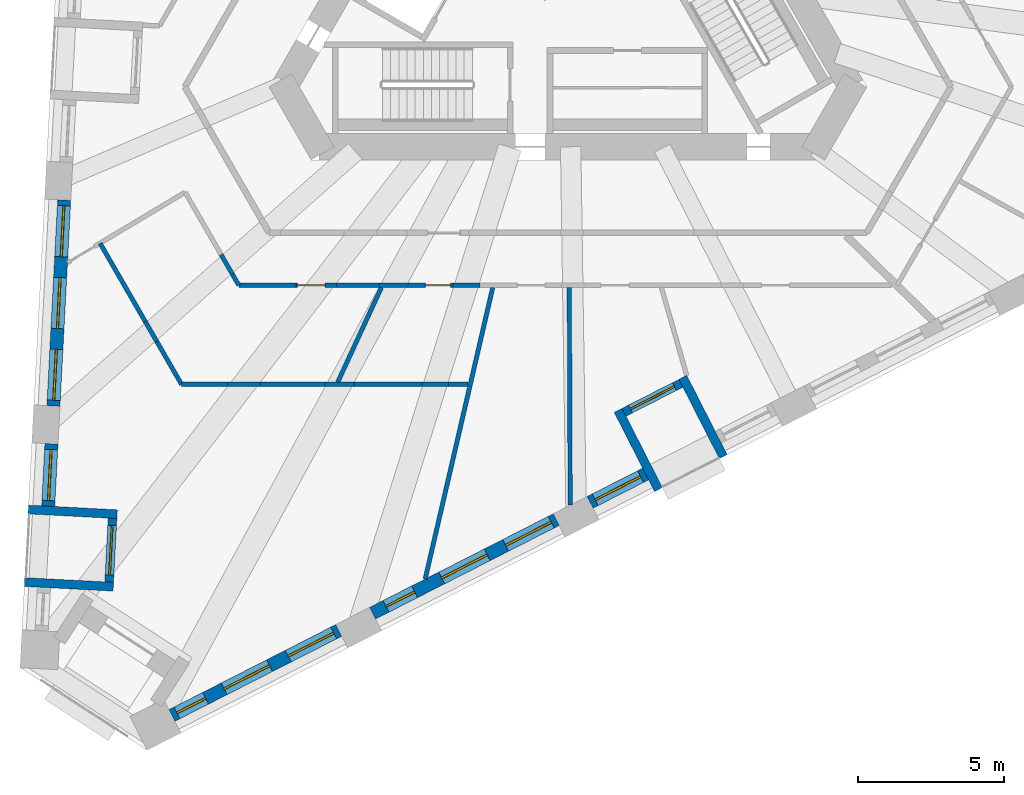
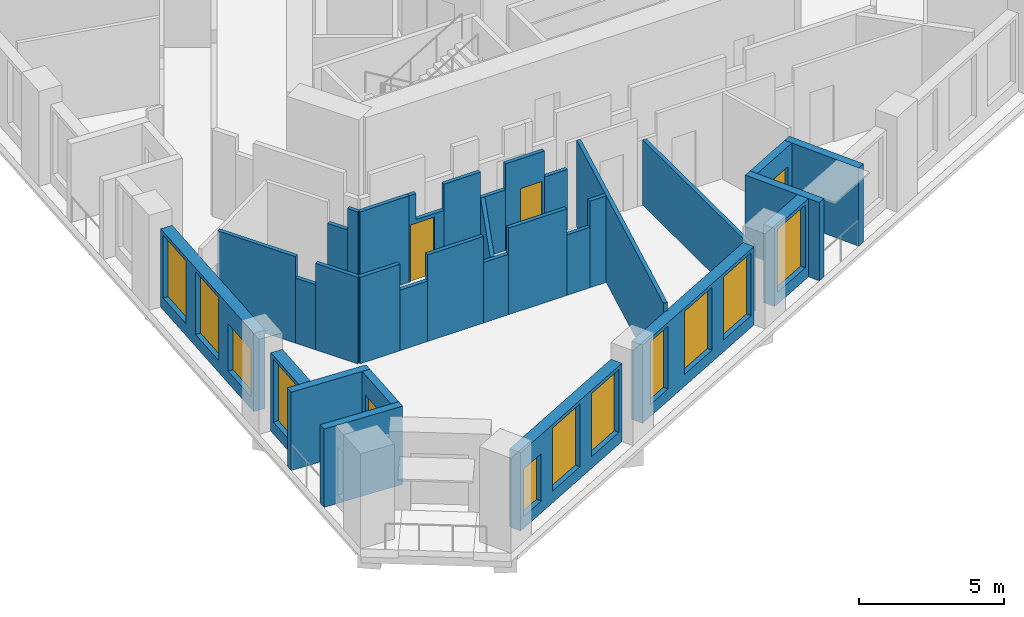
# One storey, part 2 of 13: 32 walls, 11 windows, 4 doors, 15 openings.
"""IFC4 building model written with IfcOpenShell, lengths in metres."""

from ifc_helpers import new_model, si_unit, direction, frame, frame_2d, origin, place, context, subcontext, project, spatial, polyline, rectangle, outline, extrude, material, layer, layer_set, type_object, element, fill, save


model = new_model("IFC4")

# Units and contexts
model_context = context("Model", 3, precision=1e-05, world=origin(), true_north=direction((0.0, 1.0)))
body_context = subcontext(model_context, "Body", "Model", "MODEL_VIEW")
ifc_project = project(units=[si_unit("LENGTHUNIT", "METRE"), si_unit("AREAUNIT", "SQUARE_METRE"), si_unit("VOLUMEUNIT", "CUBIC_METRE"), si_unit("PLANEANGLEUNIT", "RADIAN"), si_unit("MASSUNIT", "GRAM", prefix="KILO")], contexts=[model_context])

# Site, building, storey
site_placement = place(None, origin())
site = spatial("IfcSite", under=ifc_project, at=site_placement, CompositionType="ELEMENT")
building_placement = place(site_placement, origin())
building = spatial("IfcBuilding", under=site, at=building_placement, Name="Tramontana Tower", CompositionType="ELEMENT")
storey_placement = place(building_placement, frame((0.0, 0.0, 153.60009765625)))
storey = spatial("IfcBuildingStorey", under=building, at=storey_placement, Name="L35", CompositionType="ELEMENT", Elevation=153.60009765625)

# Wall, openings, windows
ifc_material_1 = material(Name="Precast concrete 60 MPa", Category="concrete")
ifc_layer_1 = layer(ifc_material_1, 0.449951171875)
ifc_layer_set_1 = layer_set([ifc_layer_1], Name="Precast concrete 60 MPa, 450 mm")
wall_type_1 = type_object("IfcWallType", Name="EW1 Stone-faced precast wall 450", PredefinedType="SOLIDWALL", material=ifc_layer_set_1)
wall_1_placement = place(storey_placement, frame((-17.274169921875, -8.128662109375, 0.0), z_axis=(0.0, 0.0, 1.0), x_axis=(-0.052339570873, -0.998629345313, 0.0)))
wall_1 = element("IfcWall", 1, at=wall_1_placement, inside=storey, type_object=wall_type_1, Name="External wall L35 face 0 bay 5", PredefinedType="SOLIDWALL", context=body_context, shape_type="SweptSolid", body=[
    extrude(rectangle(XDim=7.071533203125, YDim=0.449951171875, at=frame_2d((3.53564453125, 0.0))), origin(), (0.0, 0.0, 1.0), 3.2998046875),
])
opening_1_placement = place(wall_1_placement, frame((0.1953125, 0.0, 0.5)))
opening_1 = element("IfcOpeningElement", 2, at=opening_1_placement, cuts=wall_1, Name="Opening M2", PredefinedType="OPENING", context=body_context, shape_type="SweptSolid", body=[
    extrude(rectangle(XDim=1.75, YDim=2.64990234375, at=frame_2d((0.875, 1.324951171875))), frame((0.0, 0.23486328125, 0.0), z_axis=(0.0, -1.0, 0.0), x_axis=(1.0, 0.0, 0.0)), (0.0, 0.0, 1.0), 0.469970703125),
])
opening_2_placement = place(wall_1_placement, frame((2.660888671875, 0.0, 0.5)))
opening_2 = element("IfcOpeningElement", 3, at=opening_2_placement, cuts=wall_1, Name="Opening M2", PredefinedType="OPENING", context=body_context, shape_type="SweptSolid", body=[
    extrude(rectangle(XDim=1.75, YDim=2.64990234375, at=frame_2d((0.875, 1.324951171875))), frame((0.0, 0.23486328125, 0.0), z_axis=(0.0, -1.0, 0.0), x_axis=(1.0, 0.0, 0.0)), (0.0, 0.0, 1.0), 0.469970703125),
])
opening_3_placement = place(wall_1_placement, frame((5.126220703125, 0.0, 0.5)))
opening_3 = element("IfcOpeningElement", 4, at=opening_3_placement, cuts=wall_1, Name="Opening M2L", PredefinedType="OPENING", context=body_context, shape_type="SweptSolid", body=[
    extrude(rectangle(XDim=1.75, YDim=2.0, at=frame_2d((0.875, 1.0))), frame((0.0, 0.23486328125, 0.0), z_axis=(0.0, -1.0, 0.0), x_axis=(1.0, 0.0, 0.0)), (0.0, 0.0, 1.0), 0.469970703125),
])
ifc_material_2 = material(Name="Aluminum frame, double glazing unit", Category="aluminium")
window_type_1 = type_object("IfcWindowType", Name="M2 Window 1.75 x 2.65", PartitioningType="SINGLE_PANEL", PredefinedType="WINDOW", material=ifc_material_2)
window_1_placement = place(opening_1_placement, origin())
window_1 = element("IfcWindow", 5, at=window_1_placement, inside=storey, type_object=window_type_1, Name="Window M2 L35 face 0 module 13", OverallHeight=2.64990234375, OverallWidth=1.75, PartitioningType="SINGLE_PANEL", PredefinedType="WINDOW", context=body_context, shape_type="SweptSolid", body=[
    extrude(rectangle(XDim=1.75, YDim=2.64990234375, at=frame_2d((0.875, 1.324951171875))), frame((0.0, 0.030029296875, 0.0), z_axis=(0.0, -1.0, 0.0), x_axis=(1.0, 0.0, 0.0)), (0.0, 0.0, 1.0), 0.06005859375),
])
fill(opening_1, window_1)
window_2_placement = place(opening_2_placement, origin())
window_2 = element("IfcWindow", 6, at=window_2_placement, inside=storey, type_object=window_type_1, Name="Window M2 L35 face 0 module 14", OverallHeight=2.64990234375, OverallWidth=1.75, PartitioningType="SINGLE_PANEL", PredefinedType="WINDOW", context=body_context, shape_type="SweptSolid", body=[
    extrude(rectangle(XDim=1.75, YDim=2.64990234375, at=frame_2d((0.875, 1.324951171875))), frame((0.0, 0.030029296875, 0.0), z_axis=(0.0, -1.0, 0.0), x_axis=(1.0, 0.0, 0.0)), (0.0, 0.0, 1.0), 0.06005859375),
])
fill(opening_2, window_2)
ifc_material_3 = material(Name="Aluminum frame, double glazing unit", Category="aluminium")
window_type_2 = type_object("IfcWindowType", Name="M2L Window 1.75 x 2", PartitioningType="SINGLE_PANEL", PredefinedType="WINDOW", material=ifc_material_3)
window_3_placement = place(opening_3_placement, origin())
window_3 = element("IfcWindow", 7, at=window_3_placement, inside=storey, type_object=window_type_2, Name="Window M2L L35 face 0 module 15", OverallHeight=2.0, OverallWidth=1.75, PartitioningType="SINGLE_PANEL", PredefinedType="WINDOW", context=body_context, shape_type="SweptSolid", body=[
    extrude(rectangle(XDim=1.75, YDim=2.0, at=frame_2d((0.875, 1.0))), frame((0.0, 0.030029296875, 0.0), z_axis=(0.0, -1.0, 0.0), x_axis=(1.0, 0.0, 0.0)), (0.0, 0.0, 1.0), 0.06005859375),
])
fill(opening_3, window_3)

# Wall, opening, window
wall_2_placement = place(storey_placement, frame((-17.712158203125, -16.48876953125, 0.0), z_axis=(0.0, 0.0, 1.0), x_axis=(-0.05234931875, -0.998628834366, 0.0)))
wall_2 = element("IfcWall", 8, at=wall_2_placement, inside=storey, type_object=wall_type_1, Name="External wall L35 face 0 bay 6", PredefinedType="SOLIDWALL", context=body_context, shape_type="SweptSolid", body=[
    extrude(rectangle(XDim=2.140625, YDim=0.449951171875, at=frame_2d((1.0703125, 0.0))), origin(), (0.0, 0.0, 1.0), 3.2998046875),
])
opening_4_placement = place(wall_2_placement, frame((0.1953125, 0.0, 0.5)))
opening_4 = element("IfcOpeningElement", 9, at=opening_4_placement, cuts=wall_2, Name="Opening M2", PredefinedType="OPENING", context=body_context, shape_type="SweptSolid", body=[
    extrude(rectangle(XDim=1.75, YDim=2.64990234375, at=frame_2d((0.875, 1.324951171875))), frame((0.0, 0.23486328125, 0.0), z_axis=(0.0, -1.0, 0.0), x_axis=(1.0, 0.0, 0.0)), (0.0, 0.0, 1.0), 0.469970703125),
])
window_4_placement = place(opening_4_placement, origin())
window_4 = element("IfcWindow", 10, at=window_4_placement, inside=storey, type_object=window_type_1, Name="Window M2 L35 face 0 module 16", OverallHeight=2.64990234375, OverallWidth=1.75, PartitioningType="SINGLE_PANEL", PredefinedType="WINDOW", context=body_context, shape_type="SweptSolid", body=[
    extrude(rectangle(XDim=1.75, YDim=2.64990234375, at=frame_2d((0.875, 1.324951171875))), frame((0.0, 0.030029296875, 0.0), z_axis=(0.0, -1.0, 0.0), x_axis=(1.0, 0.0, 0.0)), (0.0, 0.0, 1.0), 0.06005859375),
])
fill(opening_4, window_4)

# Wall, openings, windows
wall_3_placement = place(storey_placement, frame((-13.580810546875, -25.802734375, 0.0), z_axis=(0.0, 0.0, 1.0), x_axis=(0.891010191031, 0.453983303085, 0.0)))
wall_3 = element("IfcWall", 11, at=wall_3_placement, inside=storey, type_object=wall_type_1, Name="External wall L35 face 1 bay 1", PredefinedType="SOLIDWALL", context=body_context, shape_type="SweptSolid", body=[
    extrude(rectangle(XDim=6.421630859375, YDim=0.449951171875, at=frame_2d((3.2109375, 0.0))), origin(), (0.0, 0.0, 1.0), 3.2998046875),
])
opening_5_placement = place(wall_3_placement, frame((0.1953125, 0.0, 0.5)))
opening_5 = element("IfcOpeningElement", 12, at=opening_5_placement, cuts=wall_3, Name="Opening N2L", PredefinedType="OPENING", context=body_context, shape_type="SweptSolid", body=[
    extrude(rectangle(XDim=1.10009765625, YDim=2.0, at=frame_2d((0.550048828125, 1.0))), frame((0.0, 0.23486328125, 0.0), z_axis=(0.0, -1.0, 0.0), x_axis=(1.0, 0.0, 0.0)), (0.0, 0.0, 1.0), 0.469970703125),
])
opening_6_placement = place(wall_3_placement, frame((2.0107421875, 0.0, 0.5)))
opening_6 = element("IfcOpeningElement", 13, at=opening_6_placement, cuts=wall_3, Name="Opening M2", PredefinedType="OPENING", context=body_context, shape_type="SweptSolid", body=[
    extrude(rectangle(XDim=1.75, YDim=2.64990234375, at=frame_2d((0.875, 1.324951171875))), frame((0.0, 0.23486328125, 0.0), z_axis=(0.0, -1.0, 0.0), x_axis=(1.0, 0.0, 0.0)), (0.0, 0.0, 1.0), 0.469970703125),
])
opening_7_placement = place(wall_3_placement, frame((4.476318359375, 0.0, 0.5)))
opening_7 = element("IfcOpeningElement", 14, at=opening_7_placement, cuts=wall_3, Name="Opening M2", PredefinedType="OPENING", context=body_context, shape_type="SweptSolid", body=[
    extrude(rectangle(XDim=1.75, YDim=2.64990234375, at=frame_2d((0.875, 1.324951171875))), frame((0.0, 0.23486328125, 0.0), z_axis=(0.0, -1.0, 0.0), x_axis=(1.0, 0.0, 0.0)), (0.0, 0.0, 1.0), 0.469970703125),
])
window_5_placement = place(opening_6_placement, origin())
window_5 = element("IfcWindow", 15, at=window_5_placement, inside=storey, type_object=window_type_1, Name="Window M2 L35 face 1 module 2", OverallHeight=2.64990234375, OverallWidth=1.75, PartitioningType="SINGLE_PANEL", PredefinedType="WINDOW", context=body_context, shape_type="SweptSolid", body=[
    extrude(rectangle(XDim=1.75, YDim=2.64990234375, at=frame_2d((0.875, 1.324951171875))), frame((0.0, 0.030029296875, 0.0), z_axis=(0.0, -1.0, 0.0), x_axis=(1.0, 0.0, 0.0)), (0.0, 0.0, 1.0), 0.06005859375),
])
fill(opening_6, window_5)
window_6_placement = place(opening_7_placement, origin())
window_6 = element("IfcWindow", 16, at=window_6_placement, inside=storey, type_object=window_type_1, Name="Window M2 L35 face 1 module 3", OverallHeight=2.64990234375, OverallWidth=1.75, PartitioningType="SINGLE_PANEL", PredefinedType="WINDOW", context=body_context, shape_type="SweptSolid", body=[
    extrude(rectangle(XDim=1.75, YDim=2.64990234375, at=frame_2d((0.875, 1.324951171875))), frame((0.0, 0.030029296875, 0.0), z_axis=(0.0, -1.0, 0.0), x_axis=(1.0, 0.0, 0.0)), (0.0, 0.0, 1.0), 0.06005859375),
])
fill(opening_7, window_6)
ifc_material_4 = material(Name="Aluminum frame, double glazing unit", Category="aluminium")
window_type_3 = type_object("IfcWindowType", Name="N2L Window 1.1 x 2", PartitioningType="SINGLE_PANEL", PredefinedType="WINDOW", material=ifc_material_4)
window_7_placement = place(opening_5_placement, origin())
window_7 = element("IfcWindow", 17, at=window_7_placement, inside=storey, type_object=window_type_3, Name="Window N2L L35 face 1 module 1", OverallHeight=2.0, OverallWidth=1.10009765625, PartitioningType="SINGLE_PANEL", PredefinedType="WINDOW", context=body_context, shape_type="SweptSolid", body=[
    extrude(rectangle(XDim=1.10009765625, YDim=2.0, at=frame_2d((0.550048828125, 1.0))), frame((0.0, 0.030029296875, 0.0), z_axis=(0.0, -1.0, 0.0), x_axis=(1.0, 0.0, 0.0)), (0.0, 0.0, 1.0), 0.06005859375),
])
fill(opening_5, window_7)

wall_4_placement = place(storey_placement, frame((-6.70068359375, -22.29736328125, 0.0), z_axis=(0.0, 0.0, 1.0), x_axis=(0.891004189171, 0.45399508244, 0.0)))
wall_4 = element("IfcWall", 18, at=wall_4_placement, inside=storey, type_object=wall_type_1, Name="External wall L35 face 1 bay 2", PredefinedType="SOLIDWALL", context=body_context, shape_type="SweptSolid", body=[
    extrude(rectangle(XDim=7.071533203125, YDim=0.449951171875, at=frame_2d((3.53564453125, 0.0))), origin(), (0.0, 0.0, 1.0), 3.2998046875),
])
opening_8_placement = place(wall_4_placement, frame((0.520263671875, 0.0, 0.5)))
opening_8 = element("IfcOpeningElement", 19, at=opening_8_placement, cuts=wall_4, Name="Opening N2", PredefinedType="OPENING", context=body_context, shape_type="SweptSolid", body=[
    extrude(rectangle(XDim=1.10009765625, YDim=2.64990234375, at=frame_2d((0.550048828125, 1.324951171875))), frame((0.0, 0.23486328125, 0.0), z_axis=(0.0, -1.0, 0.0), x_axis=(1.0, 0.0, 0.0)), (0.0, 0.0, 1.0), 0.469970703125),
])
opening_9_placement = place(wall_4_placement, frame((2.660888671875, 0.0, 0.5)))
opening_9 = element("IfcOpeningElement", 20, at=opening_9_placement, cuts=wall_4, Name="Opening M2", PredefinedType="OPENING", context=body_context, shape_type="SweptSolid", body=[
    extrude(rectangle(XDim=1.75, YDim=2.64990234375, at=frame_2d((0.875, 1.324951171875))), frame((0.0, 0.23486328125, 0.0), z_axis=(0.0, -1.0, 0.0), x_axis=(1.0, 0.0, 0.0)), (0.0, 0.0, 1.0), 0.469970703125),
])
opening_10_placement = place(wall_4_placement, frame((5.126220703125, 0.0, 0.5)))
opening_10 = element("IfcOpeningElement", 21, at=opening_10_placement, cuts=wall_4, Name="Opening M2", PredefinedType="OPENING", context=body_context, shape_type="SweptSolid", body=[
    extrude(rectangle(XDim=1.75, YDim=2.64990234375, at=frame_2d((0.875, 1.324951171875))), frame((0.0, 0.23486328125, 0.0), z_axis=(0.0, -1.0, 0.0), x_axis=(1.0, 0.0, 0.0)), (0.0, 0.0, 1.0), 0.469970703125),
])
window_8_placement = place(opening_9_placement, origin())
window_8 = element("IfcWindow", 22, at=window_8_placement, inside=storey, type_object=window_type_1, Name="Window M2 L35 face 1 module 5", OverallHeight=2.64990234375, OverallWidth=1.75, PartitioningType="SINGLE_PANEL", PredefinedType="WINDOW", context=body_context, shape_type="SweptSolid", body=[
    extrude(rectangle(XDim=1.75, YDim=2.64990234375, at=frame_2d((0.875, 1.324951171875))), frame((0.0, 0.030029296875, 0.0), z_axis=(0.0, -1.0, 0.0), x_axis=(1.0, 0.0, 0.0)), (0.0, 0.0, 1.0), 0.06005859375),
])
fill(opening_9, window_8)
window_9_placement = place(opening_10_placement, origin())
window_9 = element("IfcWindow", 23, at=window_9_placement, inside=storey, type_object=window_type_1, Name="Window M2 L35 face 1 module 6", OverallHeight=2.64990234375, OverallWidth=1.75, PartitioningType="SINGLE_PANEL", PredefinedType="WINDOW", context=body_context, shape_type="SweptSolid", body=[
    extrude(rectangle(XDim=1.75, YDim=2.64990234375, at=frame_2d((0.875, 1.324951171875))), frame((0.0, 0.030029296875, 0.0), z_axis=(0.0, -1.0, 0.0), x_axis=(1.0, 0.0, 0.0)), (0.0, 0.0, 1.0), 0.06005859375),
])
fill(opening_10, window_9)
ifc_material_5 = material(Name="Aluminum frame, double glazing unit", Category="aluminium")
window_type_4 = type_object("IfcWindowType", Name="N2 Window 1.1 x 2.65", PartitioningType="SINGLE_PANEL", PredefinedType="WINDOW", material=ifc_material_5)
window_10_placement = place(opening_8_placement, origin())
window_10 = element("IfcWindow", 24, at=window_10_placement, inside=storey, type_object=window_type_4, Name="Window N2 L35 face 1 module 4", OverallHeight=2.64990234375, OverallWidth=1.10009765625, PartitioningType="SINGLE_PANEL", PredefinedType="WINDOW", context=body_context, shape_type="SweptSolid", body=[
    extrude(rectangle(XDim=1.10009765625, YDim=2.64990234375, at=frame_2d((0.550048828125, 1.324951171875))), frame((0.0, 0.030029296875, 0.0), z_axis=(0.0, -1.0, 0.0), x_axis=(1.0, 0.0, 0.0)), (0.0, 0.0, 1.0), 0.06005859375),
])
fill(opening_8, window_10)

# Wall, opening, window
wall_5_placement = place(storey_placement, frame((0.75830078125, -18.496826171875, 0.0), z_axis=(0.0, 0.0, 1.0), x_axis=(0.890979432498, 0.454043666254, 0.0)))
wall_5 = element("IfcWall", 25, at=wall_5_placement, inside=storey, type_object=wall_type_1, Name="External wall L35 face 1 bay 3", PredefinedType="SOLIDWALL", context=body_context, shape_type="SweptSolid", body=[
    extrude(rectangle(XDim=2.140625, YDim=0.449951171875, at=frame_2d((1.0703125, 0.0))), origin(), (0.0, 0.0, 1.0), 3.2998046875),
])
opening_11_placement = place(wall_5_placement, frame((0.1953125, 0.0, 0.5)))
opening_11 = element("IfcOpeningElement", 26, at=opening_11_placement, cuts=wall_5, Name="Opening M2", PredefinedType="OPENING", context=body_context, shape_type="SweptSolid", body=[
    extrude(rectangle(XDim=1.75, YDim=2.64990234375, at=frame_2d((0.875, 1.324951171875))), frame((0.0, 0.23486328125, 0.0), z_axis=(0.0, -1.0, 0.0), x_axis=(1.0, 0.0, 0.0)), (0.0, 0.0, 1.0), 0.469970703125),
])
window_11_placement = place(opening_11_placement, origin())
window_11 = element("IfcWindow", 27, at=window_11_placement, inside=storey, type_object=window_type_1, Name="Window M2 L35 face 1 module 7", OverallHeight=2.64990234375, OverallWidth=1.75, PartitioningType="SINGLE_PANEL", PredefinedType="WINDOW", context=body_context, shape_type="SweptSolid", body=[
    extrude(rectangle(XDim=1.75, YDim=2.64990234375, at=frame_2d((0.875, 1.324951171875))), frame((0.0, 0.030029296875, 0.0), z_axis=(0.0, -1.0, 0.0), x_axis=(1.0, 0.0, 0.0)), (0.0, 0.0, 1.0), 0.06005859375),
])
fill(opening_11, window_11)

# Wall, opening, door
ifc_material_6 = material(Name="Precast concrete 60 MPa", Category="concrete")
ifc_layer_2 = layer(ifc_material_6, 0.300048828125)
ifc_layer_set_2 = layer_set([ifc_layer_2], Name="LW1 Stone-faced loggia wall 300")
wall_type_2 = type_object("IfcWallType", Name="LW1 Stone-faced loggia wall 300", PredefinedType="SOLIDWALL", material=ifc_layer_set_2)
wall_6_placement = place(storey_placement, frame((-15.617919921875, -19.04248046875, 0.0), z_axis=(0.0, 0.0, 1.0), x_axis=(-0.052383338583, -0.998627050424, 0.0)))
wall_6 = element("IfcWall", 28, at=wall_6_placement, inside=storey, type_object=wall_type_2, Name="Loggia wall L35 G3S0.16", PredefinedType="SOLIDWALL", context=body_context, shape_type="SweptSolid", body=[
    extrude(rectangle(XDim=2.1904296875, YDim=0.300048828125, at=frame_2d((1.09521484375, 0.0))), origin(), (0.0, 0.0, 1.0), 3.2998046875),
])
opening_12_placement = place(wall_6_placement, frame((0.245361328125, 0.0, 0.0)))
opening_12 = element("IfcOpeningElement", 29, at=opening_12_placement, cuts=wall_6, Name="Opening BD-3S0-16", PredefinedType="OPENING", context=body_context, shape_type="SweptSolid", body=[
    extrude(rectangle(XDim=1.699951171875, YDim=2.449951171875, at=frame_2d((0.85009765625, 1.22509765625))), frame((0.0, 0.159912109375, 0.0), z_axis=(0.0, -1.0, 0.0), x_axis=(1.0, 0.0, 0.0)), (0.0, 0.0, 1.0), 0.320068359375),
])
ifc_material_7 = material(Name="Aluminum frame, double glazing unit", Category="aluminium")
door_type_1 = type_object("IfcDoorType", Name="BD2 Sliding door 1.7 x 2.45", OperationType="SLIDING_TO_LEFT", PredefinedType="DOOR", material=ifc_material_7)
door_1_placement = place(opening_12_placement, origin())
door_1 = element("IfcDoor", 30, at=door_1_placement, inside=storey, type_object=door_type_1, Name="Loggia door L35 G3S0.16", OperationType="SLIDING_TO_LEFT", OverallHeight=2.449951171875, OverallWidth=1.699951171875, PredefinedType="DOOR", context=body_context, shape_type="SweptSolid", body=[
    extrude(rectangle(XDim=1.699951171875, YDim=2.449951171875, at=frame_2d((0.85009765625, 1.22509765625))), frame((0.0, 0.02490234375, 0.0), z_axis=(0.0, -1.0, 0.0), x_axis=(1.0, 0.0, 0.0)), (0.0, 0.0, 1.0), 0.050048828125),
])
fill(opening_12, door_1)

# Walls
for number, where, z_axis, x_axis, name in (
    (31, (-18.506103515625, -18.74072265625, 0.0), (0.0, 0.0, 1.0), (0.998628643661, -0.052352956549, 0.0), "Loggia return L35 G3S0.16a"),
    (32, (-18.636474609375, -21.22802734375, 0.0), (0.0, 0.0, 1.0), (0.998632825615, -0.05227312506, 0.0), "Loggia return L35 G3S0.16b"),
):
    element("IfcWall", number, at=place(storey_placement, frame(where, z_axis=z_axis, x_axis=x_axis)), inside=storey, type_object=wall_type_2, Name=name, PredefinedType="SOLIDWALL", context=body_context, shape_type="SweptSolid", body=[
        extrude(rectangle(XDim=3.0498046875, YDim=0.300048828125, at=frame_2d((1.52490234375, 0.0))), origin(), (0.0, 0.0, 1.0), 3.2998046875),
    ])

# Wall, opening, door
wall_7_placement = place(storey_placement, frame((1.9228515625, -15.40625, 0.0), z_axis=(0.0, 0.0, 1.0), x_axis=(0.891013126725, 0.4539775413, 0.0)))
wall_7 = element("IfcWall", 33, at=wall_7_placement, inside=storey, type_object=wall_type_2, Name="Loggia wall L35 G3S1.7", PredefinedType="SOLIDWALL", context=body_context, shape_type="SweptSolid", body=[
    extrude(rectangle(XDim=2.1904296875, YDim=0.300048828125, at=frame_2d((1.09521484375, 0.0))), origin(), (0.0, 0.0, 1.0), 3.2998046875),
])
opening_13_placement = place(wall_7_placement, frame((0.245361328125, 0.0, 0.0)))
opening_13 = element("IfcOpeningElement", 34, at=opening_13_placement, cuts=wall_7, Name="Opening BD-3S1-07", PredefinedType="OPENING", context=body_context, shape_type="SweptSolid", body=[
    extrude(rectangle(XDim=1.699951171875, YDim=2.449951171875, at=frame_2d((0.85009765625, 1.22509765625))), frame((0.0, 0.159912109375, 0.0), z_axis=(0.0, -1.0, 0.0), x_axis=(1.0, 0.0, 0.0)), (0.0, 0.0, 1.0), 0.320068359375),
])
door_2_placement = place(opening_13_placement, origin())
door_2 = element("IfcDoor", 35, at=door_2_placement, inside=storey, type_object=door_type_1, Name="Loggia door L35 G3S1.7", OperationType="SLIDING_TO_LEFT", OverallHeight=2.449951171875, OverallWidth=1.699951171875, PredefinedType="DOOR", context=body_context, shape_type="SweptSolid", body=[
    extrude(rectangle(XDim=1.699951171875, YDim=2.449951171875, at=frame_2d((0.85009765625, 1.22509765625))), frame((0.0, 0.02490234375, 0.0), z_axis=(0.0, -1.0, 0.0), x_axis=(1.0, 0.0, 0.0)), (0.0, 0.0, 1.0), 0.050048828125),
])
fill(opening_13, door_2)

# Walls
wall_8_placement = place(storey_placement, frame((3.105712890625, -18.058349609375, 0.0), z_axis=(0.0, 0.0, 1.0), x_axis=(-0.453988129332, 0.891007731968, 0.0)))
element("IfcWall", 36, at=wall_8_placement, inside=storey, type_object=wall_type_2, Name="Loggia return L35 G3S1.7a", PredefinedType="SOLIDWALL", context=body_context, shape_type="SweptSolid", body=[
    extrude(rectangle(XDim=3.05029296875, YDim=0.300048828125, at=frame_2d((1.525146484375, 0.0))), origin(), (0.0, 0.0, 1.0), 3.2998046875),
])
wall_9_placement = place(storey_placement, frame((5.32470703125, -16.927490234375, 0.0), z_axis=(0.0, 0.0, 1.0), x_axis=(-0.453956959009, 0.891023613249, 0.0)))
element("IfcWall", 37, at=wall_9_placement, inside=storey, type_object=wall_type_2, Name="Loggia return L35 G3S1.7b", PredefinedType="SOLIDWALL", context=body_context, shape_type="SweptSolid", body=[
    extrude(rectangle(XDim=3.0498046875, YDim=0.300048828125, at=frame_2d((1.52490234375, 0.0))), origin(), (0.0, 0.0, 1.0), 3.2998046875),
])
ifc_material_8 = material(Name="Gypsum board partition")
ifc_layer_3 = layer(ifc_material_8, 0.14990234375)
ifc_layer_set_3 = layer_set([ifc_layer_3], Name="PARTITION 150")
wall_type_3 = type_object("IfcWallType", Name="PARTITION 150", PredefinedType="PARTITIONING", material=ifc_layer_set_3)
wall_10_placement = place(storey_placement, frame((-13.250244140625, -14.449951171875, 0.0), z_axis=(0.0, 0.0, 1.0), x_axis=(-0.500025713471, 0.866010557596, 0.0)))
element("IfcWall", 38, at=wall_10_placement, inside=storey, type_object=wall_type_3, Name="Wall v32-pw03-0", PredefinedType="PARTITIONING", context=body_context, shape_type="SweptSolid", body=[
    extrude(rectangle(XDim=1.69580078125, YDim=0.14990234375, at=frame_2d((0.847900390625, 0.0))), origin(), (0.0, 0.0, 1.0), 3.64990234375),
])
wall_11_placement = place(storey_placement, frame((-14.09814453125, -12.9814453125, 0.0), z_axis=(0.0, 0.0, 1.0), x_axis=(-0.499989616998, 0.866031398331, 0.0)))
element("IfcWall", 39, at=wall_11_placement, inside=storey, type_object=wall_type_3, Name="Wall v32-pw03-1", PredefinedType="PARTITIONING", context=body_context, shape_type="SweptSolid", body=[
    extrude(rectangle(XDim=0.791015625, YDim=0.14990234375, at=frame_2d((0.3955078125, 0.0))), origin(), (0.0, 0.0, 1.0), 2.75),
])
wall_12_placement = place(storey_placement, frame((-14.49365234375, -12.29638671875, 0.0), z_axis=(0.0, 0.0, 1.0), x_axis=(-0.499981288196, 0.86603620678, 0.0)))
element("IfcWall", 40, at=wall_12_placement, inside=storey, type_object=wall_type_3, Name="Wall v32-pw03-2", PredefinedType="PARTITIONING", context=body_context, shape_type="SweptSolid", body=[
    extrude(rectangle(XDim=3.1025390625, YDim=0.14990234375, at=frame_2d((1.55126953125, 0.0))), origin(), (0.0, 0.0, 1.0), 3.64990234375),
])
wall_13_placement = place(storey_placement, frame((-11.287353515625, -11.0498046875, 0.0), z_axis=(0.0, 0.0, 1.0), x_axis=(-0.499739105689, 0.866175978797, 0.0)))
element("IfcWall", 41, at=wall_13_placement, inside=storey, type_object=wall_type_3, Name="Wall v32-pw05-0", PredefinedType="PARTITIONING", context=body_context, shape_type="SweptSolid", body=[
    extrude(rectangle(XDim=0.423095703125, YDim=0.14990234375, at=frame_2d((0.21142578125, 0.0))), origin(), (0.0, 0.0, 1.0), 3.64990234375),
])
wall_14_placement = place(storey_placement, frame((-11.498779296875, -10.683349609375, 0.0), z_axis=(0.0, 0.0, 1.0), x_axis=(-0.50012328804, 0.865954211699, 0.0)))
element("IfcWall", 42, at=wall_14_placement, inside=storey, type_object=wall_type_3, Name="Wall v32-pw05-1", PredefinedType="PARTITIONING", context=body_context, shape_type="SweptSolid", body=[
    extrude(rectangle(XDim=0.790771484375, YDim=0.14990234375, at=frame_2d((0.3955078125, 0.0))), origin(), (0.0, 0.0, 1.0), 2.75),
])
wall_15_placement = place(storey_placement, frame((-6.396484375, -11.125, 0.0), z_axis=(0.0, 0.0, 1.0), x_axis=(-0.4187207201, -0.908115057996, 0.0)))
element("IfcWall", 43, at=wall_15_placement, inside=storey, type_object=wall_type_3, Name="Wall v32-pw12-0", PredefinedType="PARTITIONING", context=body_context, shape_type="SweptSolid", body=[
    extrude(rectangle(XDim=3.578857421875, YDim=0.14990234375, at=frame_2d((1.78955078125, 0.0))), origin(), (0.0, 0.0, 1.0), 2.5498046875),
])
wall_16_placement = place(storey_placement, frame((-3.42578125, -14.449951171875, 0.0), z_axis=(0.0, 0.0, 1.0), x_axis=(-1.0, 0.0, 0.0)))
element("IfcWall", 44, at=wall_16_placement, inside=storey, type_object=wall_type_3, Name="Wall v32-pw15-0", PredefinedType="PARTITIONING", context=body_context, shape_type="SweptSolid", body=[
    extrude(rectangle(XDim=0.666015625, YDim=0.14990234375, at=frame_2d((0.3330078125, 0.0))), origin(), (0.0, 0.0, 1.0), 3.64990234375),
])
wall_17_placement = place(storey_placement, frame((-4.091796875, -14.449951171875, 0.0), z_axis=(0.0, 0.0, 1.0), x_axis=(-1.0, 0.0, 0.0)))
element("IfcWall", 45, at=wall_17_placement, inside=storey, type_object=wall_type_3, Name="Wall v32-pw15-1", PredefinedType="PARTITIONING", context=body_context, shape_type="SweptSolid", body=[
    extrude(rectangle(XDim=0.917236328125, YDim=0.14990234375, at=frame_2d((0.45849609375, 0.0))), origin(), (0.0, 0.0, 1.0), 2.5498046875),
])
wall_18_placement = place(storey_placement, frame((-5.009033203125, -14.449951171875, 0.0), z_axis=(0.0, 0.0, 1.0), x_axis=(-1.0, 0.0, 0.0)))
element("IfcWall", 46, at=wall_18_placement, inside=storey, type_object=wall_type_3, Name="Wall v32-pw15-2", PredefinedType="PARTITIONING", context=body_context, shape_type="SweptSolid", body=[
    extrude(rectangle(XDim=2.320556640625, YDim=0.14990234375, at=frame_2d((1.16015625, 0.0))), origin(), (0.0, 0.0, 1.0), 3.64990234375),
])
wall_19_placement = place(storey_placement, frame((-7.32958984375, -14.449951171875, 0.0), z_axis=(0.0, 0.0, 1.0), x_axis=(-1.0, 0.0, 0.0)))
element("IfcWall", 47, at=wall_19_placement, inside=storey, type_object=wall_type_3, Name="Wall v32-pw15-3", PredefinedType="PARTITIONING", context=body_context, shape_type="SweptSolid", body=[
    extrude(rectangle(XDim=0.9951171875, YDim=0.14990234375, at=frame_2d((0.49755859375, 0.0))), origin(), (0.0, 0.0, 1.0), 2.5498046875),
])
wall_20_placement = place(storey_placement, frame((-8.32470703125, -14.449951171875, 0.0), z_axis=(0.0, 0.0, 1.0), x_axis=(-1.0, 0.0, 0.0)))
element("IfcWall", 48, at=wall_20_placement, inside=storey, type_object=wall_type_3, Name="Wall v32-pw15-4", PredefinedType="PARTITIONING", context=body_context, shape_type="SweptSolid", body=[
    extrude(rectangle(XDim=2.234130859375, YDim=0.14990234375, at=frame_2d((1.1171875, 0.0))), origin(), (0.0, 0.0, 1.0), 3.64990234375),
])
wall_21_placement = place(storey_placement, frame((-10.558837890625, -14.449951171875, 0.0), z_axis=(0.0, 0.0, 1.0), x_axis=(-1.0, 0.0, 0.0)))
element("IfcWall", 49, at=wall_21_placement, inside=storey, type_object=wall_type_3, Name="Wall v32-pw15-5", PredefinedType="PARTITIONING", context=body_context, shape_type="SweptSolid", body=[
    extrude(rectangle(XDim=1.103759765625, YDim=0.14990234375, at=frame_2d((0.5517578125, 0.0))), origin(), (0.0, 0.0, 1.0), 2.5498046875),
])
wall_22_placement = place(storey_placement, frame((-11.66259765625, -14.449951171875, 0.0), z_axis=(0.0, 0.0, 1.0), x_axis=(-1.0, 0.0, 0.0)))
element("IfcWall", 50, at=wall_22_placement, inside=storey, type_object=wall_type_3, Name="Wall v32-pw15-6", PredefinedType="PARTITIONING", context=body_context, shape_type="SweptSolid", body=[
    extrude(rectangle(XDim=1.587646484375, YDim=0.14990234375, at=frame_2d((0.7939453125, 0.0))), origin(), (0.0, 0.0, 1.0), 3.64990234375),
])
wall_23_placement = place(storey_placement, frame((-2.578125, -11.125, 0.0), z_axis=(0.0, 0.0, 1.0), x_axis=(-0.225778284411, -0.974178713732, 0.0)))
element("IfcWall", 51, at=wall_23_placement, inside=storey, type_object=wall_type_3, Name="Wall v32-pw16", PredefinedType="PARTITIONING", context=body_context, shape_type="SweptSolid", body=[
    extrude(rectangle(XDim=10.26513671875, YDim=0.14990234375, at=frame_2d((5.132568359375, 0.0))), origin(), (0.0, 0.0, 1.0), 3.64990234375),
])
wall_24_placement = place(storey_placement, frame((0.046142578125, -11.125, 0.0), z_axis=(0.0, 0.0, 1.0), x_axis=(0.004152733795, -0.999991377364, 0.0)))
element("IfcWall", 52, at=wall_24_placement, inside=storey, type_object=wall_type_3, Name="Wall v32-pw18-0", PredefinedType="PARTITIONING", context=body_context, shape_type="SweptSolid", body=[
    extrude(rectangle(XDim=7.46630859375, YDim=0.14990234375, at=frame_2d((3.733154296875, 0.0))), origin(), (0.0, 0.0, 1.0), 2.75),
])
wall_25_placement = place(storey_placement, frame((-3.02099609375, -11.050048828125, 0.0), z_axis=(0.0, 0.0, 1.0), x_axis=(-1.0, 0.0, 0.0)))
element("IfcWall", 53, at=wall_25_placement, inside=storey, type_object=wall_type_3, Name="Wall v32-pw25-5", PredefinedType="PARTITIONING", context=body_context, shape_type="SweptSolid", body=[
    extrude(rectangle(XDim=0.91748046875, YDim=0.14990234375, at=frame_2d((0.458740234375, 0.0))), origin(), (0.0, 0.0, 1.0), 2.5498046875),
])

# Wall, opening, door
wall_26_placement = place(storey_placement, frame((-3.9384765625, -11.050048828125, 0.0), z_axis=(0.0, 0.0, 1.0), x_axis=(-1.0, 0.0, 0.0)))
wall_26 = element("IfcWall", 54, at=wall_26_placement, inside=storey, type_object=wall_type_3, Name="Wall v32-pw25-6", PredefinedType="PARTITIONING", context=body_context, shape_type="SweptSolid", body=[
    extrude(rectangle(XDim=1.54931640625, YDim=0.14990234375, at=frame_2d((0.774658203125, 0.0))), origin(), (0.0, 0.0, 1.0), 3.64990234375),
])
opening_14_placement = place(wall_26_placement, frame((0.096923828125, 0.0, 0.0)))
opening_14 = element("IfcOpeningElement", 55, at=opening_14_placement, cuts=wall_26, Name="Opening B3C-08", PredefinedType="OPENING", context=body_context, shape_type="SweptSolid", body=[
    extrude(rectangle(XDim=0.85009765625, YDim=2.39990234375, at=frame_2d((0.425048828125, 1.199951171875))), frame((0.0, 0.0849609375, 0.0), z_axis=(0.0, -1.0, 0.0), x_axis=(1.0, 0.0, 0.0)), (0.0, 0.0, 1.0), 0.169921875),
])
ifc_material_9 = material(Name="Painted timber", Category="wood")
door_type_2 = type_object("IfcDoorType", Name="DOOR BATH 850", OperationType="SINGLE_SWING_LEFT", PredefinedType="DOOR", material=ifc_material_9)
door_3_placement = place(opening_14_placement, origin())
door_3 = element("IfcDoor", 56, at=door_3_placement, inside=storey, type_object=door_type_2, Name="Door B3C-08", OperationType="SINGLE_SWING_RIGHT", OverallHeight=2.39990234375, OverallWidth=0.85009765625, PredefinedType="DOOR", context=body_context, shape_type="SweptSolid", body=[
    extrude(rectangle(XDim=0.85009765625, YDim=2.39990234375, at=frame_2d((0.425048828125, 1.199951171875))), frame((0.0, 0.02490234375, 0.0), z_axis=(0.0, -1.0, 0.0), x_axis=(1.0, 0.0, 0.0)), (0.0, 0.0, 1.0), 0.050048828125),
])
fill(opening_14, door_3)

# Walls
wall_27_placement = place(storey_placement, frame((-5.48779296875, -11.050048828125, 0.0), z_axis=(0.0, 0.0, 1.0), x_axis=(-1.0, 0.0, 0.0)))
element("IfcWall", 57, at=wall_27_placement, inside=storey, type_object=wall_type_3, Name="Wall v32-pw25-7", PredefinedType="PARTITIONING", context=body_context, shape_type="SweptSolid", body=[
    extrude(rectangle(XDim=0.9951171875, YDim=0.14990234375, at=frame_2d((0.49755859375, 0.0))), origin(), (0.0, 0.0, 1.0), 2.5498046875),
])
wall_28_placement = place(storey_placement, frame((-6.48291015625, -11.050048828125, 0.0), z_axis=(0.0, 0.0, 1.0), x_axis=(-1.0, 0.0, 0.0)))
element("IfcWall", 58, at=wall_28_placement, inside=storey, type_object=wall_type_3, Name="Wall v32-pw25-8", PredefinedType="PARTITIONING", context=body_context, shape_type="SweptSolid", body=[
    extrude(rectangle(XDim=1.461669921875, YDim=0.14990234375, at=frame_2d((0.73095703125, 0.0))), origin(), (0.0, 0.0, 1.0), 3.64990234375),
])

# Wall, opening, door
wall_29_placement = place(storey_placement, frame((-7.944580078125, -11.050048828125, 0.0), z_axis=(0.0, 0.0, 1.0), x_axis=(-1.0, 0.0, 0.0)))
wall_29 = element("IfcWall", 59, at=wall_29_placement, inside=storey, type_object=wall_type_3, Name="Wall v32-pw25-9", PredefinedType="PARTITIONING", context=body_context, shape_type="SweptSolid", body=[
    extrude(outline(polyline([(0.0, 0.0), (1.38330078125, 0.0), (1.38330078125, 3.64990234375), (1.103759765625, 3.64990234375), (1.103759765625, 2.5498046875), (0.0, 2.5498046875), (0.0, 0.0)])), frame((0.0, 0.074951171875, 0.0), z_axis=(0.0, -1.0, 0.0), x_axis=(1.0, 0.0, 0.0)), (0.0, 0.0, 1.0), 0.14990234375),
])
opening_15_placement = place(wall_29_placement, frame((0.38330078125, 0.0, 0.0)))
opening_15 = element("IfcOpeningElement", 60, at=opening_15_placement, cuts=wall_29, Name="Opening B3C-07", PredefinedType="OPENING", context=body_context, shape_type="SweptSolid", body=[
    extrude(rectangle(XDim=0.949951171875, YDim=2.39990234375, at=frame_2d((0.47509765625, 1.199951171875))), frame((0.0, 0.0849609375, 0.0), z_axis=(0.0, -1.0, 0.0), x_axis=(1.0, 0.0, 0.0)), (0.0, 0.0, 1.0), 0.169921875),
])
ifc_material_10 = material(Name="Painted timber", Category="wood")
door_type_3 = type_object("IfcDoorType", Name="DOOR ROOM 950", OperationType="SINGLE_SWING_LEFT", PredefinedType="DOOR", material=ifc_material_10)
door_4_placement = place(opening_15_placement, origin())
door_4 = element("IfcDoor", 61, at=door_4_placement, inside=storey, type_object=door_type_3, Name="Door B3C-07", OperationType="SINGLE_SWING_LEFT", OverallHeight=2.39990234375, OverallWidth=0.949951171875, PredefinedType="DOOR", context=body_context, shape_type="SweptSolid", body=[
    extrude(rectangle(XDim=0.949951171875, YDim=2.39990234375, at=frame_2d((0.47509765625, 1.199951171875))), frame((0.0, 0.02490234375, 0.0), z_axis=(0.0, -1.0, 0.0), x_axis=(1.0, 0.0, 0.0)), (0.0, 0.0, 1.0), 0.050048828125),
])
fill(opening_15, door_4)

# Wall
wall_30_placement = place(storey_placement, frame((-9.327880859375, -11.050048828125, 0.0), z_axis=(0.0, 0.0, 1.0), x_axis=(-1.0, 0.0, 0.0)))
element("IfcWall", 62, at=wall_30_placement, inside=storey, type_object=wall_type_3, Name="Wall v32-pw25-10", PredefinedType="PARTITIONING", context=body_context, shape_type="SweptSolid", body=[
    extrude(rectangle(XDim=1.959228515625, YDim=0.14990234375, at=frame_2d((0.9794921875, 0.0))), origin(), (0.0, 0.0, 1.0), 3.64990234375),
])

save(model, "model.ifc")
